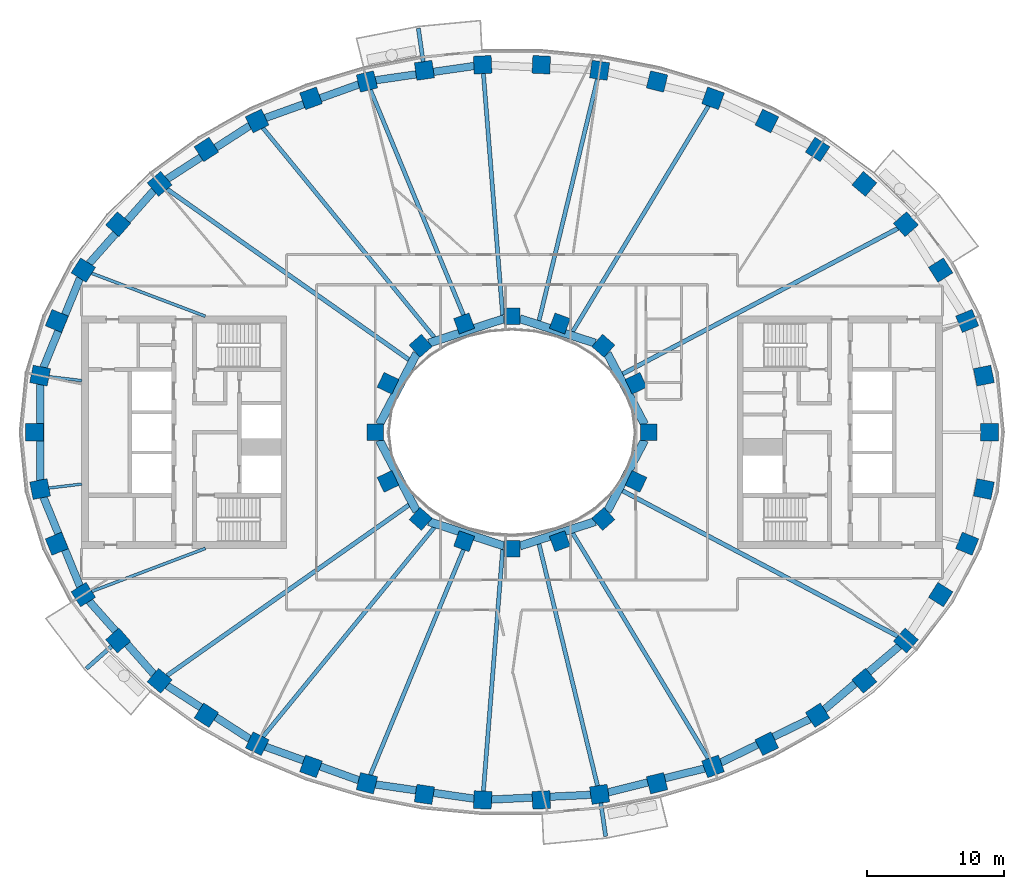
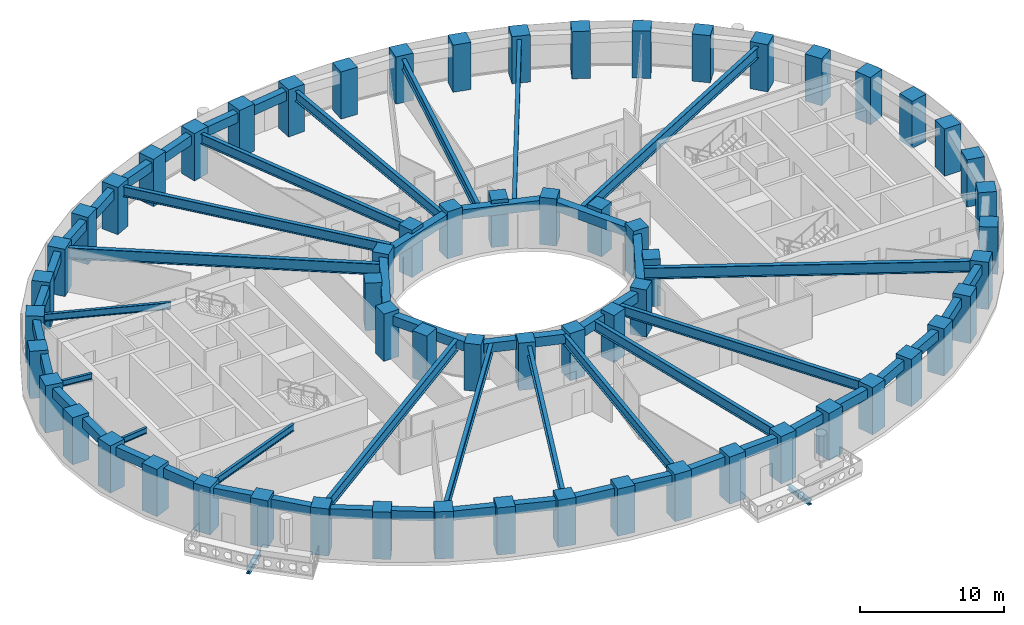
# One storey, part 1 of 16: 62 columns, 44 beams.
"""IFC4 building model written with IfcOpenShell, lengths in metres."""

from ifc_helpers import new_model, si_unit, direction, frame, origin, origin_2d, place, context, subcontext, project, spatial, rectangle, i_section, extrude, material, material_profile, profile_set, type_object, element, save


model = new_model("IFC4")

# Units and contexts
model_context = context("Model", 3, precision=1e-05, world=origin(), true_north=direction((0.0, 1.0)))
body_context = subcontext(model_context, "Body", "Model", "MODEL_VIEW")
ifc_project = project(units=[si_unit("LENGTHUNIT", "METRE"), si_unit("AREAUNIT", "SQUARE_METRE"), si_unit("VOLUMEUNIT", "CUBIC_METRE"), si_unit("PLANEANGLEUNIT", "RADIAN"), si_unit("MASSUNIT", "GRAM", prefix="KILO")], contexts=[model_context])

# Site, building, storey
site_placement = place(None, origin())
site = spatial("IfcSite", under=ifc_project, at=site_placement, CompositionType="ELEMENT")
building_placement = place(site_placement, origin())
building = spatial("IfcBuilding", under=site, at=building_placement, Name="Noorbagh Ring Tower", CompositionType="ELEMENT")
storey_placement = place(building_placement, frame((0.0, 0.0, 108.0)))
storey = spatial("IfcBuildingStorey", under=building, at=storey_placement, Name="L24", CompositionType="ELEMENT", Elevation=108.0)

# Columns
ifc_material_1 = material(Name="Concrete C60/75", Category="concrete")
ifc_material_profile_1 = material_profile(ifc_material_1, rectangle(XDim=1.300048828125, YDim=1.300048828125, at=origin_2d()), Name="RC1300x1300")
ifc_profile_set_1 = profile_set([ifc_material_profile_1], Name="Concrete C60/75")
column_type_1 = type_object("IfcColumnType", Name="STR-COL-RC1300x1300-C60-75", PredefinedType="COLUMN", material=ifc_profile_set_1)
for number, where, z_axis, x_axis, name in (
    (1, (34.944580078125, 0.0, 0.0), (0.0, 0.0, 1.0), (0.0, 1.0, 0.0), "L24/col/R1-01"),
    (2, (34.52685546875, 4.150634765625, 0.0), (0.0, 0.0, 1.0), (-0.19723040178, 0.9803571638, 0.0), "L24/col/R1-02"),
    (3, (33.30517578125, 8.1494140625, 0.0), (0.0, 0.0, 1.0), (-0.378989499959, 0.925400971969, 0.0), "L24/col/R1-03"),
    (4, (31.364990234375, 11.87109375, 0.0), (0.0, 0.0, 1.0), (-0.535190403059, 0.844731455833, 0.0), "L24/col/R1-04"),
    (5, (28.81884765625, 15.23046875, 0.0), (0.0, 0.0, 1.0), (-0.662635642662, 0.748941923699, 0.0), "L24/col/R1-05"),
    (6, (25.78271484375, 18.180419921875, 0.0), (0.0, 0.0, 1.0), (-0.763035199656, 0.646356932419, 0.0), "L24/col/R1-06"),
    (7, (22.362060546875, 20.699951171875, 0.0), (0.0, 0.0, 1.0), (-0.840247639643, 0.542202825586, 0.0), "L24/col/R1-07"),
    (8, (18.646240234375, 22.785400390625, 0.0), (0.0, 0.0, 1.0), (-0.898399080868, 0.439180021741, 0.0), "L24/col/R1-08"),
    (9, (14.70947265625, 24.44091796875, 0.0), (0.0, 0.0, 1.0), (-0.941024726094, 0.338337797003, 0.0), "L24/col/R1-09"),
    (10, (10.61328125, 25.673583984375, 0.0), (0.0, 0.0, 1.0), (-0.970829360981, 0.239771457553, 0.0), "L24/col/R1-10"),
    (11, (6.4091796875, 26.49072265625, 0.0), (0.0, 0.0, 1.0), (-0.989713114048, 0.143066249975, 0.0), "L24/col/R1-11"),
    (12, (2.14306640625, 26.89794921875, 0.0), (0.0, 0.0, 1.0), (-0.998868731212, 0.047552684538, 0.0), "L24/col/R1-12"),
    (13, (-2.14306640625, 26.89794921875, 0.0), (0.0, 0.0, 1.0), (-0.998868731212, -0.047552684538, 0.0), "L24/col/R1-13"),
    (14, (-6.4091796875, 26.49072265625, 0.0), (0.0, 0.0, 1.0), (-0.989713114048, -0.143066249975, 0.0), "L24/col/R1-14"),
    (15, (-10.61328125, 25.673583984375, 0.0), (0.0, 0.0, 1.0), (-0.970829360981, -0.239771457553, 0.0), "L24/col/R1-15"),
    (16, (-14.70947265625, 24.44091796875, 0.0), (0.0, 0.0, 1.0), (-0.941024726094, -0.338337797003, 0.0), "L24/col/R1-16"),
    (17, (-18.646240234375, 22.785400390625, 0.0), (0.0, 0.0, 1.0), (-0.898399080868, -0.439180021741, 0.0), "L24/col/R1-17"),
    (18, (-22.362060546875, 20.699951171875, 0.0), (0.0, 0.0, 1.0), (-0.840247639643, -0.542202825586, 0.0), "L24/col/R1-18"),
    (19, (-25.78271484375, 18.180419921875, 0.0), (0.0, 0.0, 1.0), (-0.763035199656, -0.646356932419, 0.0), "L24/col/R1-19"),
    (20, (-28.81884765625, 15.23046875, 0.0), (0.0, 0.0, 1.0), (-0.662635642662, -0.748941923699, 0.0), "L24/col/R1-20"),
    (21, (-31.364990234375, 11.87109375, 0.0), (0.0, 0.0, 1.0), (-0.535190403059, -0.844731455833, 0.0), "L24/col/R1-21"),
    (22, (-33.30517578125, 8.1494140625, 0.0), (0.0, 0.0, 1.0), (-0.378989499959, -0.925400971969, 0.0), "L24/col/R1-22"),
    (23, (-34.52685546875, 4.150634765625, 0.0), (0.0, 0.0, 1.0), (-0.19723040178, -0.9803571638, 0.0), "L24/col/R1-23"),
    (24, (-34.944580078125, 0.0, 0.0), (0.0, 0.0, 1.0), (0.0, -1.0, 0.0), "L24/col/R1-24"),
    (25, (-34.52685546875, -4.150634765625, 0.0), (0.0, 0.0, 1.0), (0.19723040178, -0.9803571638, 0.0), "L24/col/R1-25"),
    (26, (-33.30517578125, -8.1494140625, 0.0), (0.0, 0.0, 1.0), (0.378989499959, -0.925400971969, 0.0), "L24/col/R1-26"),
    (27, (-31.364990234375, -11.87109375, 0.0), (0.0, 0.0, 1.0), (0.535190403059, -0.844731455833, 0.0), "L24/col/R1-27"),
    (28, (-28.81884765625, -15.23046875, 0.0), (0.0, 0.0, 1.0), (0.662635642662, -0.748941923699, 0.0), "L24/col/R1-28"),
    (29, (-25.78271484375, -18.180419921875, 0.0), (0.0, 0.0, 1.0), (0.763035199656, -0.646356932419, 0.0), "L24/col/R1-29"),
    (30, (-22.362060546875, -20.699951171875, 0.0), (0.0, 0.0, 1.0), (0.840247639643, -0.542202825586, 0.0), "L24/col/R1-30"),
    (31, (-18.646240234375, -22.785400390625, 0.0), (0.0, 0.0, 1.0), (0.898399080868, -0.439180021741, 0.0), "L24/col/R1-31"),
    (32, (-14.70947265625, -24.44091796875, 0.0), (0.0, 0.0, 1.0), (0.941024726094, -0.338337797003, 0.0), "L24/col/R1-32"),
    (33, (-10.61328125, -25.673583984375, 0.0), (0.0, 0.0, 1.0), (0.970829360981, -0.239771457553, 0.0), "L24/col/R1-33"),
    (34, (-6.4091796875, -26.49072265625, 0.0), (0.0, 0.0, 1.0), (0.989713114048, -0.143066249975, 0.0), "L24/col/R1-34"),
    (35, (-2.14306640625, -26.89794921875, 0.0), (0.0, 0.0, 1.0), (0.998868731212, -0.047552684538, 0.0), "L24/col/R1-35"),
    (36, (2.14306640625, -26.89794921875, 0.0), (0.0, 0.0, 1.0), (0.998868731212, 0.047552684538, 0.0), "L24/col/R1-36"),
    (37, (6.4091796875, -26.49072265625, 0.0), (0.0, 0.0, 1.0), (0.989713114048, 0.143066249975, 0.0), "L24/col/R1-37"),
    (38, (10.61328125, -25.673583984375, 0.0), (0.0, 0.0, 1.0), (0.970829360981, 0.239771457553, 0.0), "L24/col/R1-38"),
    (39, (14.70947265625, -24.44091796875, 0.0), (0.0, 0.0, 1.0), (0.941024726094, 0.338337797003, 0.0), "L24/col/R1-39"),
    (40, (18.646240234375, -22.785400390625, 0.0), (0.0, 0.0, 1.0), (0.898399080868, 0.439180021741, 0.0), "L24/col/R1-40"),
    (41, (22.362060546875, -20.699951171875, 0.0), (0.0, 0.0, 1.0), (0.840247639643, 0.542202825586, 0.0), "L24/col/R1-41"),
    (42, (25.78271484375, -18.180419921875, 0.0), (0.0, 0.0, 1.0), (0.763035199656, 0.646356932419, 0.0), "L24/col/R1-42"),
    (43, (28.81884765625, -15.23046875, 0.0), (0.0, 0.0, 1.0), (0.662635642662, 0.748941923699, 0.0), "L24/col/R1-43"),
    (44, (31.364990234375, -11.87109375, 0.0), (0.0, 0.0, 1.0), (0.535190403059, 0.844731455833, 0.0), "L24/col/R1-44"),
    (45, (33.30517578125, -8.1494140625, 0.0), (0.0, 0.0, 1.0), (0.378989499959, 0.925400971969, 0.0), "L24/col/R1-45"),
    (46, (34.52685546875, -4.150634765625, 0.0), (0.0, 0.0, 1.0), (0.19723040178, 0.9803571638, 0.0), "L24/col/R1-46"),
):
    element("IfcColumn", number, at=place(storey_placement, frame(where, z_axis=z_axis, x_axis=x_axis)), inside=storey, type_object=column_type_1, Name=name, PredefinedType="COLUMN", context=body_context, shape_type="SweptSolid", body=[
        extrude(rectangle(XDim=1.300048828125, YDim=1.300048828125, at=origin_2d()), origin(), (0.0, 0.0, 1.0), 4.0),
    ])
ifc_material_2 = material(Name="Concrete C60/75", Category="concrete")
ifc_material_profile_2 = material_profile(ifc_material_2, rectangle(XDim=1.199951171875, YDim=1.199951171875, at=origin_2d()), Name="RC1200x1200")
ifc_profile_set_2 = profile_set([ifc_material_profile_2], Name="Concrete C60/75")
column_type_2 = type_object("IfcColumnType", Name="STR-ICOL-RC1200x1200-C60-75", PredefinedType="COLUMN", material=ifc_profile_set_2)
for number, where, z_axis, x_axis, name in (
    (47, (10.00830078125, 0.0, 0.0), (0.0, 0.0, 1.0), (0.0, 1.0, 0.0), "L24/col/IR2-W01"),
    (48, (9.07568359375, 3.58837890625, 0.0), (0.0, 0.0, 1.0), (-0.428666979171, 0.903462573087, 0.0), "L24/col/IR2-W03"),
    (49, (6.68212890625, 6.333740234375, 0.0), (0.0, 0.0, 1.0), (-0.75102249095, 0.660276622399, 0.0), "L24/col/IR2-W05"),
    (50, (3.5009765625, 7.967041015625, 0.0), (0.0, 0.0, 1.0), (-0.939019578916, 0.343863679984, 0.0), "L24/col/IR2-W07"),
    (51, (0.0, 8.5029296875, 0.0), (0.0, 0.0, 1.0), (-1.0, 0.0, 0.0), "L24/col/IR2-W09"),
    (52, (-3.5009765625, 7.967041015625, 0.0), (0.0, 0.0, 1.0), (-0.939019578916, -0.343863679984, 0.0), "L24/col/IR2-W11"),
    (53, (-6.68212890625, 6.333740234375, 0.0), (0.0, 0.0, 1.0), (-0.75102249095, -0.660276622399, 0.0), "L24/col/IR2-W13"),
    (54, (-9.07568359375, 3.58837890625, 0.0), (0.0, 0.0, 1.0), (-0.428666979171, -0.903462573087, 0.0), "L24/col/IR2-W15"),
    (55, (-10.00830078125, 0.0, 0.0), (0.0, 0.0, 1.0), (0.0, -1.0, 0.0), "L24/col/IR2-W17"),
    (56, (-9.07568359375, -3.58837890625, 0.0), (0.0, 0.0, 1.0), (0.428666979171, -0.903462573087, 0.0), "L24/col/IR2-W19"),
    (57, (-6.68212890625, -6.333740234375, 0.0), (0.0, 0.0, 1.0), (0.75102249095, -0.660276622399, 0.0), "L24/col/IR2-W21"),
    (58, (-3.5009765625, -7.967041015625, 0.0), (0.0, 0.0, 1.0), (0.939019578916, -0.343863679984, 0.0), "L24/col/IR2-W23"),
    (59, (0.0, -8.5029296875, 0.0), (0.0, 0.0, 1.0), (1.0, 0.0, 0.0), "L24/col/IR2-W25"),
    (60, (3.5009765625, -7.967041015625, 0.0), (0.0, 0.0, 1.0), (0.939019578916, 0.343863679984, 0.0), "L24/col/IR2-W27"),
    (61, (6.68212890625, -6.333740234375, 0.0), (0.0, 0.0, 1.0), (0.75102249095, 0.660276622399, 0.0), "L24/col/IR2-W29"),
    (62, (9.07568359375, -3.58837890625, 0.0), (0.0, 0.0, 1.0), (0.428666979171, 0.903462573087, 0.0), "L24/col/IR2-W31"),
):
    element("IfcColumn", number, at=place(storey_placement, frame(where, z_axis=z_axis, x_axis=x_axis)), inside=storey, type_object=column_type_2, Name=name, PredefinedType="COLUMN", context=body_context, shape_type="SweptSolid", body=[
        extrude(rectangle(XDim=1.199951171875, YDim=1.199951171875, at=origin_2d()), origin(), (0.0, 0.0, 1.0), 4.0),
    ])

# Beams
ifc_material_3 = material(Name="Steel S355", Category="steel")
ifc_material_profile_3 = material_profile(ifc_material_3, i_section(OverallWidth=0.300048828125, OverallDepth=0.39990234375, WebThickness=0.013427734375, FlangeThickness=0.02392578125, FilletRadius=0.027099609375, at=origin_2d()), Name="HEB400")
ifc_profile_set_3 = profile_set([ifc_material_profile_3], Name="Steel S355")
beam_type_1 = type_object("IfcBeamType", Name="STR-BALCONY-BRACKET-HEB400", PredefinedType="BEAM", material=ifc_profile_set_3)
beam_1_placement = place(storey_placement, frame((-6.49951171875, 27.1142578125, -0.5), z_axis=(-0.14299620794, 0.989723236322, 0.0), x_axis=(-0.989723236322, -0.14299620794, 0.0)))
element("IfcBeam", 63, at=beam_1_placement, inside=storey, type_object=beam_type_1, Name="Balcony bracket beam BN04", PredefinedType="BEAM", context=body_context, shape_type="SweptSolid", body=[
    extrude(i_section(OverallWidth=0.300048828125, OverallDepth=0.39990234375, WebThickness=0.013427734375, FlangeThickness=0.02392578125, FilletRadius=0.027099609375, at=origin_2d()), origin(), (0.0, 0.0, 1.0), 2.473876953125),
])
beam_2_placement = place(storey_placement, frame((-29.290771484375, -15.64794921875, -0.5), z_axis=(-0.749058582827, -0.662503765645, 0.0), x_axis=(0.662503765645, -0.749058582827, 0.0)))
element("IfcBeam", 64, at=beam_2_placement, inside=storey, type_object=beam_type_1, Name="Balcony bracket beam BS01", PredefinedType="BEAM", context=body_context, shape_type="SweptSolid", body=[
    extrude(i_section(OverallWidth=0.300048828125, OverallDepth=0.39990234375, WebThickness=0.013427734375, FlangeThickness=0.02392578125, FilletRadius=0.027099609375, at=origin_2d()), origin(), (0.0, 0.0, 1.0), 2.479248046875),
])
beam_3_placement = place(storey_placement, frame((6.49951171875, -27.1142578125, -0.5), z_axis=(0.14299620794, -0.989723236322, 0.0), x_axis=(0.989723236322, 0.14299620794, 0.0)))
element("IfcBeam", 65, at=beam_3_placement, inside=storey, type_object=beam_type_1, Name="Balcony bracket beam BS04", PredefinedType="BEAM", context=body_context, shape_type="SweptSolid", body=[
    extrude(i_section(OverallWidth=0.300048828125, OverallDepth=0.39990234375, WebThickness=0.013427734375, FlangeThickness=0.02392578125, FilletRadius=0.027099609375, at=origin_2d()), origin(), (0.0, 0.0, 1.0), 2.473876953125),
])
ifc_material_4 = material(Name="Steel S355", Category="steel")
ifc_material_profile_4 = material_profile(ifc_material_4, i_section(OverallWidth=0.199951171875, OverallDepth=0.5, WebThickness=0.01025390625, FlangeThickness=0.01611328125, FilletRadius=0.02099609375, at=origin_2d()), Name="IPE500")
ifc_profile_set_4 = profile_set([ifc_material_profile_4], Name="Steel S355")
beam_type_2 = type_object("IfcBeamType", Name="STR-RAD-IPE500", PredefinedType="BEAM", material=ifc_profile_set_4)
for number, where, z_axis, x_axis, name in (
    (66, (-33.899169921875, 4.0751953125, 3.449951171875), (0.992852635549, -0.119346738892, 0.0), (0.119346738892, 0.992852635549, 0.0), "L24/bm/RD23"),
    (67, (-33.899169921875, -4.0751953125, 3.449951171875), (0.992852635549, 0.119346738892, 0.0), (-0.119346738892, 0.992852635549, 0.0), "L24/bm/RD25"),
):
    element("IfcBeam", number, at=place(storey_placement, frame(where, z_axis=z_axis, x_axis=x_axis)), inside=storey, type_object=beam_type_2, Name=name, PredefinedType="BEAM", context=body_context, shape_type="SweptSolid", body=[
        extrude(i_section(OverallWidth=0.199951171875, OverallDepth=0.5, WebThickness=0.01025390625, FlangeThickness=0.01611328125, FilletRadius=0.02099609375, at=origin_2d()), origin(), (0.0, 0.0, 1.0), 2.436279296875),
    ])
ifc_material_5 = material(Name="Steel S355", Category="steel")
ifc_material_profile_5 = material_profile(ifc_material_5, i_section(OverallWidth=0.219970703125, OverallDepth=0.60009765625, WebThickness=0.011962890625, FlangeThickness=0.01904296875, FilletRadius=0.02392578125, at=origin_2d()), Name="IPE600")
ifc_profile_set_5 = profile_set([ifc_material_profile_5], Name="Steel S355")
beam_type_3 = type_object("IfcBeamType", Name="STR-RAD-IPE600", PredefinedType="BEAM", material=ifc_profile_set_5)
for number, where, z_axis, x_axis, name in (
    (68, (-30.762939453125, 11.64306640625, 3.39990234375), (0.935256068659, -0.353971871815, 0.0), (0.353971871815, 0.935256068659, 0.0), "L24/bm/RD21"),
    (69, (-30.762939453125, -11.64306640625, 3.39990234375), (0.935256068659, 0.353971871815, 0.0), (-0.353971871815, 0.935256068659, 0.0), "L24/bm/RD27"),
):
    element("IfcBeam", number, at=place(storey_placement, frame(where, z_axis=z_axis, x_axis=x_axis)), inside=storey, type_object=beam_type_3, Name=name, PredefinedType="BEAM", context=body_context, shape_type="SweptSolid", body=[
        extrude(i_section(OverallWidth=0.219970703125, OverallDepth=0.60009765625, WebThickness=0.011962890625, FlangeThickness=0.01904296875, FilletRadius=0.02392578125, at=origin_2d()), origin(), (0.0, 0.0, 1.0), 8.8994140625),
    ])
ifc_material_6 = material(Name="Steel S355", Category="steel")
ifc_material_profile_6 = material_profile(ifc_material_6, i_section(OverallWidth=0.300048828125, OverallDepth=0.85009765625, WebThickness=0.013916015625, FlangeThickness=0.028076171875, at=origin_2d()), Name="PG850x300x14x28")
ifc_profile_set_6 = profile_set([ifc_material_profile_6], Name="Steel S355")
beam_type_4 = type_object("IfcBeamType", Name="STR-RAD-PG850x300x14x28", PredefinedType="BEAM", material=ifc_profile_set_6)
beam_4_placement = place(storey_placement, frame((14.378173828125, 23.89013671875, 3.27490234375), z_axis=(-0.515660214946, -0.85679317383, 0.0), x_axis=(0.85679317383, -0.515660214946, 0.0)))
element("IfcBeam", 70, at=beam_4_placement, inside=storey, type_object=beam_type_4, Name="L24/bm/RD09", PredefinedType="BEAM", context=body_context, shape_type="SweptSolid", body=[
    extrude(i_section(OverallWidth=0.300048828125, OverallDepth=0.85009765625, WebThickness=0.013916015625, FlangeThickness=0.028076171875, at=origin_2d()), origin(), (0.0, 0.0, 1.0), 19.293212890625),
])
beam_5_placement = place(storey_placement, frame((6.260498046875, 25.875732421875, 3.27490234375), z_axis=(-0.235164579981, -0.971955564994, 0.0), x_axis=(0.971955564994, -0.235164579981, 0.0)))
element("IfcBeam", 71, at=beam_5_placement, inside=storey, type_object=beam_type_4, Name="L24/bm/RD11", PredefinedType="BEAM", context=body_context, shape_type="SweptSolid", body=[
    extrude(i_section(OverallWidth=0.300048828125, OverallDepth=0.85009765625, WebThickness=0.013916015625, FlangeThickness=0.028076171875, at=origin_2d()), origin(), (0.0, 0.0, 1.0), 18.230224609375),
])
beam_6_placement = place(storey_placement, frame((-2.093017578125, 26.26953125, 3.27490234375), z_axis=(0.079419392273, -0.996841291345, 0.0), x_axis=(0.996841291345, 0.079419392273, 0.0)))
element("IfcBeam", 72, at=beam_6_placement, inside=storey, type_object=beam_type_4, Name="L24/bm/RD13", PredefinedType="BEAM", context=body_context, shape_type="SweptSolid", body=[
    extrude(i_section(OverallWidth=0.300048828125, OverallDepth=0.85009765625, WebThickness=0.013916015625, FlangeThickness=0.028076171875, at=origin_2d()), origin(), (0.0, 0.0, 1.0), 17.749755859375),
])
beam_7_placement = place(storey_placement, frame((-10.36962890625, 25.084716796875, 3.27490234375), z_axis=(0.38202515603, -0.924151924826, 0.0), x_axis=(0.924151924826, 0.38202515603, 0.0)))
element("IfcBeam", 73, at=beam_7_placement, inside=storey, type_object=beam_type_4, Name="L24/bm/RD15", PredefinedType="BEAM", context=body_context, shape_type="SweptSolid", body=[
    extrude(i_section(OverallWidth=0.300048828125, OverallDepth=0.85009765625, WebThickness=0.013916015625, FlangeThickness=0.028076171875, at=origin_2d()), origin(), (0.0, 0.0, 1.0), 18.750244140625),
])
for number, where, z_axis, x_axis, name in (
    (74, (-18.236083984375, 22.2841796875, 3.27490234375), (0.6333069067, -0.773900744234, 0.0), (0.773900744234, 0.6333069067, 0.0), "L24/bm/RD17"),
    (75, (-18.236083984375, -22.2841796875, 3.27490234375), (0.6333069067, 0.773900744234, 0.0), (-0.773900744234, 0.6333069067, 0.0), "L24/bm/RD31"),
):
    element("IfcBeam", number, at=place(storey_placement, frame(where, z_axis=z_axis, x_axis=x_axis)), inside=storey, type_object=beam_type_4, Name=name, PredefinedType="BEAM", context=body_context, shape_type="SweptSolid", body=[
        extrude(i_section(OverallWidth=0.300048828125, OverallDepth=0.85009765625, WebThickness=0.013916015625, FlangeThickness=0.028076171875, at=origin_2d()), origin(), (0.0, 0.0, 1.0), 19.811767578125),
    ])
beam_8_placement = place(storey_placement, frame((-10.36962890625, -25.084716796875, 3.27490234375), z_axis=(0.38202515603, 0.924151924826, 0.0), x_axis=(-0.924151924826, 0.38202515603, 0.0)))
element("IfcBeam", 76, at=beam_8_placement, inside=storey, type_object=beam_type_4, Name="L24/bm/RD33", PredefinedType="BEAM", context=body_context, shape_type="SweptSolid", body=[
    extrude(i_section(OverallWidth=0.300048828125, OverallDepth=0.85009765625, WebThickness=0.013916015625, FlangeThickness=0.028076171875, at=origin_2d()), origin(), (0.0, 0.0, 1.0), 18.750244140625),
])
beam_9_placement = place(storey_placement, frame((-2.093017578125, -26.26953125, 3.27490234375), z_axis=(0.079419392273, 0.996841291345, 0.0), x_axis=(-0.996841291345, 0.079419392273, 0.0)))
element("IfcBeam", 77, at=beam_9_placement, inside=storey, type_object=beam_type_4, Name="L24/bm/RD35", PredefinedType="BEAM", context=body_context, shape_type="SweptSolid", body=[
    extrude(i_section(OverallWidth=0.300048828125, OverallDepth=0.85009765625, WebThickness=0.013916015625, FlangeThickness=0.028076171875, at=origin_2d()), origin(), (0.0, 0.0, 1.0), 17.749755859375),
])
beam_10_placement = place(storey_placement, frame((6.260498046875, -25.875732421875, 3.27490234375), z_axis=(-0.235164579981, 0.971955564994, 0.0), x_axis=(-0.971955564994, -0.235164579981, 0.0)))
element("IfcBeam", 78, at=beam_10_placement, inside=storey, type_object=beam_type_4, Name="L24/bm/RD37", PredefinedType="BEAM", context=body_context, shape_type="SweptSolid", body=[
    extrude(i_section(OverallWidth=0.300048828125, OverallDepth=0.85009765625, WebThickness=0.013916015625, FlangeThickness=0.028076171875, at=origin_2d()), origin(), (0.0, 0.0, 1.0), 18.230224609375),
])
beam_11_placement = place(storey_placement, frame((14.378173828125, -23.89013671875, 3.27490234375), z_axis=(-0.515660214946, 0.85679317383, 0.0), x_axis=(-0.85679317383, -0.515660214946, 0.0)))
element("IfcBeam", 79, at=beam_11_placement, inside=storey, type_object=beam_type_4, Name="L24/bm/RD39", PredefinedType="BEAM", context=body_context, shape_type="SweptSolid", body=[
    extrude(i_section(OverallWidth=0.300048828125, OverallDepth=0.85009765625, WebThickness=0.013916015625, FlangeThickness=0.028076171875, at=origin_2d()), origin(), (0.0, 0.0, 1.0), 19.293212890625),
])
ifc_material_7 = material(Name="Steel S355", Category="steel")
ifc_material_profile_7 = material_profile(ifc_material_7, i_section(OverallWidth=0.320068359375, OverallDepth=0.949951171875, WebThickness=0.01611328125, FlangeThickness=0.030029296875, at=origin_2d()), Name="PG950x320x16x30")
ifc_profile_set_7 = profile_set([ifc_material_profile_7], Name="Steel S355")
beam_type_5 = type_object("IfcBeamType", Name="STR-RAD-PG950x320x16x30", PredefinedType="BEAM", material=ifc_profile_set_7)
beam_12_placement = place(storey_placement, frame((28.2451171875, 14.92724609375, 3.22509765625), z_axis=(-0.8841222966, -0.467255566746, 0.0), x_axis=(0.467255566746, -0.8841222966, 0.0)))
element("IfcBeam", 80, at=beam_12_placement, inside=storey, type_object=beam_type_5, Name="L24/bm/RD05", PredefinedType="BEAM", context=body_context, shape_type="SweptSolid", body=[
    extrude(i_section(OverallWidth=0.320068359375, OverallDepth=0.949951171875, WebThickness=0.01611328125, FlangeThickness=0.030029296875, at=origin_2d()), origin(), (0.0, 0.0, 1.0), 22.80615234375),
])
for number, where, z_axis, x_axis, name in (
    (81, (-25.250244140625, 17.804931640625, 3.22509765625), (0.817253985622, -0.57627764401, 0.0), (0.57627764401, 0.817253985622, 0.0), "L24/bm/RD19"),
    (82, (-25.250244140625, -17.804931640625, 3.22509765625), (0.817253985622, 0.57627764401, 0.0), (-0.57627764401, 0.817253985622, 0.0), "L24/bm/RD29"),
):
    element("IfcBeam", number, at=place(storey_placement, frame(where, z_axis=z_axis, x_axis=x_axis)), inside=storey, type_object=beam_type_5, Name=name, PredefinedType="BEAM", context=body_context, shape_type="SweptSolid", body=[
        extrude(i_section(OverallWidth=0.320068359375, OverallDepth=0.949951171875, WebThickness=0.01611328125, FlangeThickness=0.030029296875, at=origin_2d()), origin(), (0.0, 0.0, 1.0), 21.677001953125),
    ])
beam_13_placement = place(storey_placement, frame((28.2451171875, -14.92724609375, 3.22509765625), z_axis=(-0.8841222966, 0.467255566746, 0.0), x_axis=(-0.467255566746, -0.8841222966, 0.0)))
element("IfcBeam", 83, at=beam_13_placement, inside=storey, type_object=beam_type_5, Name="L24/bm/RD43", PredefinedType="BEAM", context=body_context, shape_type="SweptSolid", body=[
    extrude(i_section(OverallWidth=0.320068359375, OverallDepth=0.949951171875, WebThickness=0.01611328125, FlangeThickness=0.030029296875, at=origin_2d()), origin(), (0.0, 0.0, 1.0), 22.80615234375),
])
ifc_material_8 = material(Name="Concrete C40/50", Category="concrete")
ifc_material_profile_8 = material_profile(ifc_material_8, rectangle(XDim=0.60009765625, YDim=0.800048828125, at=origin_2d()), Name="RC600x800")
ifc_profile_set_8 = profile_set([ifc_material_profile_8], Name="Concrete C40/50")
beam_type_6 = type_object("IfcBeamType", Name="STR-RB-RC600x800-C40-50", PredefinedType="BEAM", material=ifc_profile_set_8)
beam_14_placement = place(storey_placement, frame((9.70263671875, 0.582275390625, 3.300048828125), z_axis=(-0.464930830504, 0.885347007024, 0.0), x_axis=(-0.885347007024, -0.464930830504, 0.0)))
element("IfcBeam", 84, at=beam_14_placement, inside=storey, type_object=beam_type_6, Name="L24/bm/RG01", PredefinedType="BEAM", context=body_context, shape_type="SweptSolid", body=[
    extrude(rectangle(XDim=0.60009765625, YDim=0.800048828125, at=origin_2d()), origin(), (0.0, 0.0, 1.0), 5.873779296875),
])
for number, where, z_axis, x_axis, name in (
    (85, (6.07958984375, 6.529296875, 3.300048828125), (-0.951141392906, 0.308755648856, 0.0), (-0.308755648856, -0.951141392906, 0.0), "L24/bm/RG03"),
    (86, (-0.5810546875, 8.314208984375, 3.300048828125), (-0.951141392906, -0.308755648856, 0.0), (0.308755648856, -0.951141392906, 0.0), "L24/bm/RG05"),
):
    element("IfcBeam", number, at=place(storey_placement, frame(where, z_axis=z_axis, x_axis=x_axis)), inside=storey, type_object=beam_type_6, Name=name, PredefinedType="BEAM", context=body_context, shape_type="SweptSolid", body=[
        extrude(rectangle(XDim=0.60009765625, YDim=0.800048828125, at=origin_2d()), origin(), (0.0, 0.0, 1.0), 5.781005859375),
    ])
for number, where, z_axis, x_axis, name in (
    (87, (-6.9716796875, 5.78271484375, 3.300048828125), (-0.464930830504, -0.885347007024, 0.0), (0.885347007024, -0.464930830504, 0.0), "L24/bm/RG07"),
    (88, (-9.70263671875, -0.582275390625, 3.300048828125), (0.464930830504, -0.885347007024, 0.0), (0.885347007024, 0.464930830504, 0.0), "L24/bm/RG09"),
):
    element("IfcBeam", number, at=place(storey_placement, frame(where, z_axis=z_axis, x_axis=x_axis)), inside=storey, type_object=beam_type_6, Name=name, PredefinedType="BEAM", context=body_context, shape_type="SweptSolid", body=[
        extrude(rectangle(XDim=0.60009765625, YDim=0.800048828125, at=origin_2d()), origin(), (0.0, 0.0, 1.0), 5.873779296875),
    ])
for number, where, z_axis, x_axis, name in (
    (89, (-6.07958984375, -6.529296875, 3.300048828125), (0.951141392906, -0.308755648856, 0.0), (0.308755648856, 0.951141392906, 0.0), "L24/bm/RG11"),
    (90, (0.5810546875, -8.314208984375, 3.300048828125), (0.951141392906, 0.308755648856, 0.0), (-0.308755648856, 0.951141392906, 0.0), "L24/bm/RG13"),
):
    element("IfcBeam", number, at=place(storey_placement, frame(where, z_axis=z_axis, x_axis=x_axis)), inside=storey, type_object=beam_type_6, Name=name, PredefinedType="BEAM", context=body_context, shape_type="SweptSolid", body=[
        extrude(rectangle(XDim=0.60009765625, YDim=0.800048828125, at=origin_2d()), origin(), (0.0, 0.0, 1.0), 5.781005859375),
    ])
beam_15_placement = place(storey_placement, frame((6.9716796875, -5.78271484375, 3.300048828125), z_axis=(0.464930830504, 0.885347007024, 0.0), x_axis=(-0.885347007024, 0.464930830504, 0.0)))
element("IfcBeam", 91, at=beam_15_placement, inside=storey, type_object=beam_type_6, Name="L24/bm/RG15", PredefinedType="BEAM", context=body_context, shape_type="SweptSolid", body=[
    extrude(rectangle(XDim=0.60009765625, YDim=0.800048828125, at=origin_2d()), origin(), (0.0, 0.0, 1.0), 5.873779296875),
])
ifc_material_9 = material(Name="Concrete C40/50", Category="concrete")
ifc_material_profile_9 = material_profile(ifc_material_9, rectangle(XDim=0.550048828125, YDim=0.800048828125, at=origin_2d()), Name="RC550x800")
ifc_profile_set_9 = profile_set([ifc_material_profile_9], Name="Concrete C40/50")
beam_type_7 = type_object("IfcBeamType", Name="STR-SB-RC550x800-C40-50", PredefinedType="BEAM", material=ifc_profile_set_9)
beam_16_placement = place(storey_placement, frame((-2.769775390625, 26.807373046875, 3.300048828125), z_axis=(-0.989713086327, -0.143066441741, 0.0), x_axis=(0.143066441741, -0.989713086327, 0.0)))
element("IfcBeam", 92, at=beam_16_placement, inside=storey, type_object=beam_type_7, Name="L24/bm/SP13", PredefinedType="BEAM", context=body_context, shape_type="SweptSolid", body=[
    extrude(rectangle(XDim=0.550048828125, YDim=0.800048828125, at=origin_2d()), origin(), (0.0, 0.0, 1.0), 7.291748046875),
])
beam_17_placement = place(storey_placement, frame((-11.209228515625, 25.459228515625, 3.300048828125), z_axis=(-0.941024767496, -0.33833768185, 0.0), x_axis=(0.33833768185, -0.941024767496, 0.0)))
element("IfcBeam", 93, at=beam_17_placement, inside=storey, type_object=beam_type_7, Name="L24/bm/SP15", PredefinedType="BEAM", context=body_context, shape_type="SweptSolid", body=[
    extrude(rectangle(XDim=0.550048828125, YDim=0.800048828125, at=origin_2d()), origin(), (0.0, 0.0, 1.0), 7.269287109375),
])
beam_18_placement = place(storey_placement, frame((-19.179443359375, 22.44140625, 3.300048828125), z_axis=(-0.840245983135, -0.542205392657, 0.0), x_axis=(0.542205392657, -0.840245983135, 0.0)))
element("IfcBeam", 94, at=beam_18_placement, inside=storey, type_object=beam_type_7, Name="L24/bm/SP17", PredefinedType="BEAM", context=body_context, shape_type="SweptSolid", body=[
    extrude(rectangle(XDim=0.550048828125, YDim=0.800048828125, at=origin_2d()), origin(), (0.0, 0.0, 1.0), 7.223388671875),
])
beam_19_placement = place(storey_placement, frame((-26.20458984375, 17.703369140625, 3.300048828125), z_axis=(-0.662640932003, -0.748937243855, 0.0), x_axis=(0.748937243855, -0.662640932003, 0.0)))
element("IfcBeam", 95, at=beam_19_placement, inside=storey, type_object=beam_type_7, Name="L24/bm/SP19", PredefinedType="BEAM", context=body_context, shape_type="SweptSolid", body=[
    extrude(rectangle(XDim=0.550048828125, YDim=0.800048828125, at=origin_2d()), origin(), (0.0, 0.0, 1.0), 7.149169921875),
])
beam_20_placement = place(storey_placement, frame((-31.607666015625, 11.278564453125, 3.300048828125), z_axis=(-0.378973457999, -0.925407541644, 0.0), x_axis=(0.925407541644, -0.378973457999, 0.0)))
element("IfcBeam", 96, at=beam_20_placement, inside=storey, type_object=beam_type_7, Name="L24/bm/SP21", PredefinedType="BEAM", context=body_context, shape_type="SweptSolid", body=[
    extrude(rectangle(XDim=0.550048828125, YDim=0.800048828125, at=origin_2d()), origin(), (0.0, 0.0, 1.0), 7.060546875),
])
beam_21_placement = place(storey_placement, frame((-34.52685546875, 3.507568359375, 3.300048828125), z_axis=(0.0, -1.0, 0.0), x_axis=(1.0, 0.0, 0.0)))
element("IfcBeam", 97, at=beam_21_placement, inside=storey, type_object=beam_type_7, Name="L24/bm/SP23", PredefinedType="BEAM", context=body_context, shape_type="SweptSolid", body=[
    extrude(rectangle(XDim=0.550048828125, YDim=0.800048828125, at=origin_2d()), origin(), (0.0, 0.0, 1.0), 7.01513671875),
])
beam_22_placement = place(storey_placement, frame((-34.283447265625, -4.74462890625, 3.300048828125), z_axis=(0.378973457999, -0.925407541644, 0.0), x_axis=(0.925407541644, 0.378973457999, 0.0)))
element("IfcBeam", 98, at=beam_22_placement, inside=storey, type_object=beam_type_7, Name="L24/bm/SP25", PredefinedType="BEAM", context=body_context, shape_type="SweptSolid", body=[
    extrude(rectangle(XDim=0.550048828125, YDim=0.800048828125, at=origin_2d()), origin(), (0.0, 0.0, 1.0), 7.060546875),
])
beam_23_placement = place(storey_placement, frame((-30.94189453125, -12.34912109375, 3.300048828125), z_axis=(0.662640932003, -0.748937243855, 0.0), x_axis=(0.748937243855, 0.662640932003, 0.0)))
element("IfcBeam", 99, at=beam_23_placement, inside=storey, type_object=beam_type_7, Name="L24/bm/SP27", PredefinedType="BEAM", context=body_context, shape_type="SweptSolid", body=[
    extrude(rectangle(XDim=0.550048828125, YDim=0.800048828125, at=origin_2d()), origin(), (0.0, 0.0, 1.0), 7.149169921875),
])
beam_24_placement = place(storey_placement, frame((-25.248779296875, -18.52490234375, 3.300048828125), z_axis=(0.840245983135, -0.542205392657, 0.0), x_axis=(0.542205392657, 0.840245983135, 0.0)))
element("IfcBeam", 100, at=beam_24_placement, inside=storey, type_object=beam_type_7, Name="L24/bm/SP29", PredefinedType="BEAM", context=body_context, shape_type="SweptSolid", body=[
    extrude(rectangle(XDim=0.550048828125, YDim=0.800048828125, at=origin_2d()), origin(), (0.0, 0.0, 1.0), 7.223388671875),
])
beam_25_placement = place(storey_placement, frame((-18.0498046875, -22.999755859375, 3.300048828125), z_axis=(0.941024767496, -0.33833768185, 0.0), x_axis=(0.33833768185, 0.941024767496, 0.0)))
element("IfcBeam", 101, at=beam_25_placement, inside=storey, type_object=beam_type_7, Name="L24/bm/SP31", PredefinedType="BEAM", context=body_context, shape_type="SweptSolid", body=[
    extrude(rectangle(XDim=0.550048828125, YDim=0.800048828125, at=origin_2d()), origin(), (0.0, 0.0, 1.0), 7.269287109375),
])
beam_26_placement = place(storey_placement, frame((-9.986572265625, -25.76416015625, 3.300048828125), z_axis=(0.989713086327, -0.143066441741, 0.0), x_axis=(0.143066441741, 0.989713086327, 0.0)))
element("IfcBeam", 102, at=beam_26_placement, inside=storey, type_object=beam_type_7, Name="L24/bm/SP33", PredefinedType="BEAM", context=body_context, shape_type="SweptSolid", body=[
    extrude(rectangle(XDim=0.550048828125, YDim=0.800048828125, at=origin_2d()), origin(), (0.0, 0.0, 1.0), 7.291748046875),
])
beam_27_placement = place(storey_placement, frame((-1.510986328125, -26.867919921875, 3.300048828125), z_axis=(0.998868894653, 0.047549251258, 0.0), x_axis=(-0.047549251258, 0.998868894653, 0.0)))
element("IfcBeam", 103, at=beam_27_placement, inside=storey, type_object=beam_type_7, Name="L24/bm/SP35", PredefinedType="BEAM", context=body_context, shape_type="SweptSolid", body=[
    extrude(rectangle(XDim=0.550048828125, YDim=0.800048828125, at=origin_2d()), origin(), (0.0, 0.0, 1.0), 7.296142578125),
])
beam_28_placement = place(storey_placement, frame((7.02392578125, -26.339111328125, 3.300048828125), z_axis=(0.970826778955, 0.239781911877, 0.0), x_axis=(-0.239781911877, 0.970826778955, 0.0)))
element("IfcBeam", 104, at=beam_28_placement, inside=storey, type_object=beam_type_7, Name="L24/bm/SP37", PredefinedType="BEAM", context=body_context, shape_type="SweptSolid", body=[
    extrude(rectangle(XDim=0.550048828125, YDim=0.800048828125, at=origin_2d()), origin(), (0.0, 0.0, 1.0), 7.282958984375),
])
beam_29_placement = place(storey_placement, frame((15.279052734375, -24.162353515625, 3.300048828125), z_axis=(0.898412117145, 0.43915335336, 0.0), x_axis=(-0.43915335336, 0.898412117145, 0.0)))
element("IfcBeam", 105, at=beam_29_placement, inside=storey, type_object=beam_type_7, Name="L24/bm/SP39", PredefinedType="BEAM", context=body_context, shape_type="SweptSolid", body=[
    extrude(rectangle(XDim=0.550048828125, YDim=0.800048828125, at=origin_2d()), origin(), (0.0, 0.0, 1.0), 7.249267578125),
])
beam_30_placement = place(storey_placement, frame((22.846923828125, -20.289306640625, 3.300048828125), z_axis=(0.76303325952, 0.646359222775, 0.0), x_axis=(-0.646359222775, 0.76303325952, 0.0)))
element("IfcBeam", 106, at=beam_30_placement, inside=storey, type_object=beam_type_7, Name="L24/bm/SP41", PredefinedType="BEAM", context=body_context, shape_type="SweptSolid", body=[
    extrude(rectangle(XDim=0.550048828125, YDim=0.800048828125, at=origin_2d()), origin(), (0.0, 0.0, 1.0), 7.18994140625),
])

save(model, "model.ifc")
